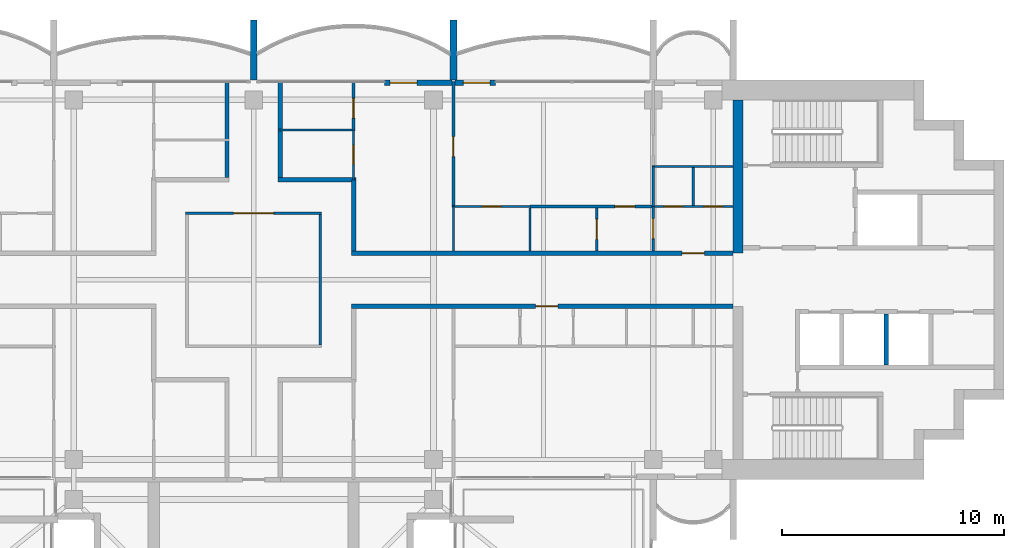
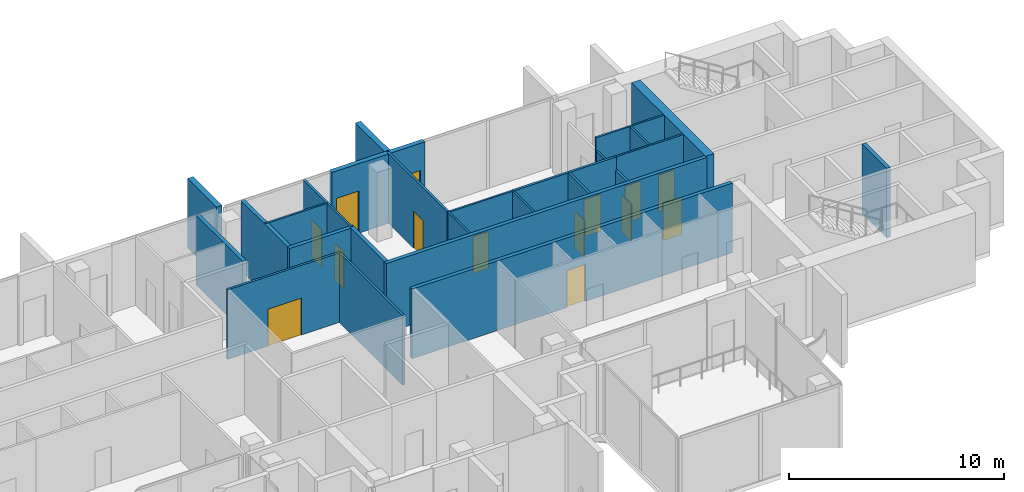
# One storey, part 10 of 16: 28 walls, 14 doors, 14 openings.
"""IFC4 building model written with IfcOpenShell, lengths in metres."""

from ifc_helpers import new_model, si_unit, direction, frame, frame_2d, origin, place, context, subcontext, project, spatial, rectangle, extrude, material, layer, layer_set, type_object, element, fill, save


model = new_model("IFC4")

# Units and contexts
model_context = context("Model", 3, precision=1e-05, world=origin(), true_north=direction((0.0, 1.0)))
body_context = subcontext(model_context, "Body", "Model", "MODEL_VIEW")
ifc_project = project(units=[si_unit("LENGTHUNIT", "METRE"), si_unit("AREAUNIT", "SQUARE_METRE"), si_unit("VOLUMEUNIT", "CUBIC_METRE"), si_unit("PLANEANGLEUNIT", "RADIAN"), si_unit("MASSUNIT", "GRAM", prefix="KILO")], contexts=[model_context])

# Site, building, storey
site_placement = place(None, origin())
site = spatial("IfcSite", under=ifc_project, at=site_placement, CompositionType="ELEMENT")
building_placement = place(site_placement, origin())
building = spatial("IfcBuilding", under=site, at=building_placement, Name="Perihelion Cross Residences", CompositionType="ELEMENT")
storey_placement = place(building_placement, frame((0.0, 0.0, 294.60009765625)))
storey = spatial("IfcBuildingStorey", under=building, at=storey_placement, Name="L75", CompositionType="ELEMENT", Elevation=294.60009765625)

# Wall, opening, door
ifc_material_1 = material(Name="Plasterboard partition")
ifc_layer_1 = layer(ifc_material_1, 0.199951171875)
ifc_layer_set_1 = layer_set([ifc_layer_1], Name="Apartment separation wall 200")
wall_type_1 = type_object("IfcWallType", Name="Apartment separation wall 200", PredefinedType="PARTITIONING", material=ifc_layer_set_1)
wall_1_placement = place(storey_placement, frame((4.39990234375, 1.199951171875, 0.0), z_axis=(0.0, 0.0, 1.0), x_axis=(1.0, 0.0, 0.0)))
wall_1 = element("IfcWall", 1, at=wall_1_placement, inside=storey, type_object=wall_type_1, Name="Partition L75 W005", PredefinedType="PARTITIONING", context=body_context, shape_type="SweptSolid", body=[
    extrude(rectangle(XDim=17.2001953125, YDim=0.199951171875, at=frame_2d((8.60009765625, 0.0))), origin(), (0.0, 0.0, 1.0), 3.949951171875),
])
opening_1_placement = place(wall_1_placement, frame((14.89990234375, 0.0, 0.0)))
opening_1 = element("IfcOpeningElement", 2, at=opening_1_placement, cuts=wall_1, Name="Opening L75.A35", PredefinedType="OPENING", context=body_context, shape_type="SweptSolid", body=[
    extrude(rectangle(XDim=1.0, YDim=2.10009765625, at=frame_2d((0.5, 1.050048828125))), frame((0.0, 0.10986328125, 0.0), z_axis=(0.0, -1.0, 0.0), x_axis=(1.0, 0.0, 0.0)), (0.0, 0.0, 1.0), 0.219970703125),
])
ifc_material_2 = material(Name="Timber door leaf", Category="wood")
door_type_1 = type_object("IfcDoorType", Name="Flat entrance door 1000 x 2100", OperationType="SINGLE_SWING_LEFT", PredefinedType="DOOR", material=ifc_material_2)
door_1_placement = place(opening_1_placement, origin())
door_1 = element("IfcDoor", 3, at=door_1_placement, inside=storey, type_object=door_type_1, Name="Door L75.A35", OperationType="SINGLE_SWING_RIGHT", OverallHeight=2.10009765625, OverallWidth=1.0, PredefinedType="DOOR", context=body_context, shape_type="SweptSolid", body=[
    extrude(rectangle(XDim=1.0, YDim=2.10009765625, at=frame_2d((0.5, 1.050048828125))), frame((0.0, 0.02490234375, 0.0), z_axis=(0.0, -1.0, 0.0), x_axis=(1.0, 0.0, 0.0)), (0.0, 0.0, 1.0), 0.050048828125),
])
fill(opening_1, door_1)

# Walls
wall_2_placement = place(storey_placement, frame((4.5, 4.5, 0.0), z_axis=(0.0, 0.0, 1.0), x_axis=(0.0, -1.0, 0.0)))
element("IfcWall", 4, at=wall_2_placement, inside=storey, type_object=wall_type_1, Name="Partition L75 W006", PredefinedType="PARTITIONING", context=body_context, shape_type="SweptSolid", body=[
    extrude(rectangle(XDim=3.199951171875, YDim=0.199951171875, at=frame_2d((1.60009765625, 0.0))), origin(), (0.0, 0.0, 1.0), 3.949951171875),
])
wall_3_placement = place(storey_placement, frame((1.199951171875, 8.919921875, 0.0), z_axis=(0.0, 0.0, 1.0), x_axis=(0.0, -1.0, 0.0)))
element("IfcWall", 5, at=wall_3_placement, inside=storey, type_object=wall_type_1, Name="Partition L75 W007", PredefinedType="PARTITIONING", context=body_context, shape_type="SweptSolid", body=[
    extrude(rectangle(XDim=4.31982421875, YDim=0.199951171875, at=frame_2d((2.159912109375, 0.0))), origin(), (0.0, 0.0, 1.0), 3.949951171875),
])
wall_4_placement = place(storey_placement, frame((1.10009765625, 4.5, 0.0), z_axis=(0.0, 0.0, 1.0), x_axis=(1.0, 0.0, 0.0)))
element("IfcWall", 6, at=wall_4_placement, inside=storey, type_object=wall_type_1, Name="Partition L75 W008", PredefinedType="PARTITIONING", context=body_context, shape_type="SweptSolid", body=[
    extrude(rectangle(XDim=3.5, YDim=0.199951171875, at=frame_2d((1.75, 0.0))), origin(), (0.0, 0.0, 1.0), 3.949951171875),
])

# Wall, opening, door
wall_5_placement = place(storey_placement, frame((21.60009765625, -1.199951171875, 0.0), z_axis=(0.0, 0.0, 1.0), x_axis=(-1.0, 0.0, 0.0)))
wall_5 = element("IfcWall", 7, at=wall_5_placement, inside=storey, type_object=wall_type_1, Name="Partition L75 W009", PredefinedType="PARTITIONING", context=body_context, shape_type="SweptSolid", body=[
    extrude(rectangle(XDim=17.2001953125, YDim=0.199951171875, at=frame_2d((8.60009765625, 0.0))), origin(), (0.0, 0.0, 1.0), 3.949951171875),
])
opening_2_placement = place(wall_5_placement, frame((7.89990234375, 0.0, 0.0)))
opening_2 = element("IfcOpeningElement", 8, at=opening_2_placement, cuts=wall_5, Name="Opening L75.A36", PredefinedType="OPENING", context=body_context, shape_type="SweptSolid", body=[
    extrude(rectangle(XDim=1.0, YDim=2.10009765625, at=frame_2d((0.5, 1.050048828125))), frame((0.0, 0.10986328125, 0.0), z_axis=(0.0, -1.0, 0.0), x_axis=(1.0, 0.0, 0.0)), (0.0, 0.0, 1.0), 0.219970703125),
])
door_2_placement = place(opening_2_placement, origin())
door_2 = element("IfcDoor", 9, at=door_2_placement, inside=storey, type_object=door_type_1, Name="Door L75.A36", OperationType="SINGLE_SWING_RIGHT", OverallHeight=2.10009765625, OverallWidth=1.0, PredefinedType="DOOR", context=body_context, shape_type="SweptSolid", body=[
    extrude(rectangle(XDim=1.0, YDim=2.10009765625, at=frame_2d((0.5, 1.050048828125))), frame((0.0, 0.02490234375, 0.0), z_axis=(0.0, -1.0, 0.0), x_axis=(1.0, 0.0, 0.0)), (0.0, 0.0, 1.0), 0.050048828125),
])
fill(opening_2, door_2)

# Wall
wall_6_placement = place(storey_placement, frame((-1.199951171875, 4.60009765625, 0.0), z_axis=(0.0, 0.0, 1.0), x_axis=(0.0, 1.0, 0.0)))
element("IfcWall", 10, at=wall_6_placement, inside=storey, type_object=wall_type_1, Name="Partition L75 W016", PredefinedType="PARTITIONING", context=body_context, shape_type="SweptSolid", body=[
    extrude(rectangle(XDim=4.31982421875, YDim=0.199951171875, at=frame_2d((2.159912109375, 0.0))), origin(), (0.0, 0.0, 1.0), 3.949951171875),
])

# Wall, opening, door
ifc_material_3 = material(Name="Concrete C30/37, bronze-clad", Category="concrete")
ifc_layer_2 = layer(ifc_material_3, 0.25)
ifc_layer_set_2 = layer_set([ifc_layer_2], Name="Bronze-clad pier wall 250")
wall_type_2 = type_object("IfcWallType", Name="Bronze-clad pier wall 250", PredefinedType="SOLIDWALL", material=ifc_layer_set_2)
wall_7_placement = place(storey_placement, frame((10.89990234375, 8.875, 0.0), z_axis=(0.0, 0.0, 1.0), x_axis=(-1.0, 0.0, 0.0)))
wall_7 = element("IfcWall", 11, at=wall_7_placement, inside=storey, type_object=wall_type_2, Name="Wall FW1 L75 east side north bay 2 pier", PredefinedType="SOLIDWALL", context=body_context, shape_type="SweptSolid", body=[
    extrude(rectangle(XDim=1.83984375, YDim=0.25, at=frame_2d((0.919921875, 0.0))), origin(), (0.0, 0.0, 1.0), 3.949951171875),
])
opening_3_placement = place(wall_7_placement, frame((0.25, 0.0, 0.0)))
opening_3 = element("IfcOpeningElement", 12, at=opening_3_placement, cuts=wall_7, Name="Opening L75.E02", PredefinedType="OPENING", context=body_context, shape_type="SweptSolid", body=[
    extrude(rectangle(XDim=1.199951171875, YDim=2.39990234375, at=frame_2d((0.60009765625, 1.199951171875))), frame((0.0, 0.135009765625, 0.0), z_axis=(0.0, -1.0, 0.0), x_axis=(1.0, 0.0, 0.0)), (0.0, 0.0, 1.0), 0.27001953125),
])
ifc_material_4 = material(Name="Bronze anodised aluminium, glazed", Category="aluminium")
door_type_2 = type_object("IfcDoorType", Name="Balcony door 1200 x 2400", OperationType="NOTDEFINED", PredefinedType="DOOR", material=ifc_material_4)
door_3_placement = place(opening_3_placement, origin())
door_3 = element("IfcDoor", 13, at=door_3_placement, inside=storey, type_object=door_type_2, Name="Door L75.E02 east side north bay 2", OperationType="SINGLE_SWING_RIGHT", OverallHeight=2.39990234375, OverallWidth=1.199951171875, PredefinedType="DOOR", context=body_context, shape_type="SweptSolid", body=[
    extrude(rectangle(XDim=1.199951171875, YDim=2.39990234375, at=frame_2d((0.60009765625, 1.199951171875))), frame((0.0, 0.02490234375, 0.0), z_axis=(0.0, -1.0, 0.0), x_axis=(1.0, 0.0, 0.0)), (0.0, 0.0, 1.0), 0.050048828125),
])
fill(opening_3, door_3)

wall_8_placement = place(storey_placement, frame((8.93994140625, 8.875, 0.0), z_axis=(0.0, 0.0, 1.0), x_axis=(-1.0, 0.0, 0.0)))
wall_8 = element("IfcWall", 14, at=wall_8_placement, inside=storey, type_object=wall_type_2, Name="Wall FW1 L75 north side east bay 1 pier", PredefinedType="SOLIDWALL", context=body_context, shape_type="SweptSolid", body=[
    extrude(rectangle(XDim=3.0400390625, YDim=0.25, at=frame_2d((1.52001953125, 0.0))), origin(), (0.0, 0.0, 1.0), 3.949951171875),
])
opening_4_placement = place(wall_8_placement, frame((1.590087890625, 0.0, 0.0)))
opening_4 = element("IfcOpeningElement", 15, at=opening_4_placement, cuts=wall_8, Name="Opening L75.E03", PredefinedType="OPENING", context=body_context, shape_type="SweptSolid", body=[
    extrude(rectangle(XDim=1.199951171875, YDim=2.39990234375, at=frame_2d((0.60009765625, 1.199951171875))), frame((0.0, 0.135009765625, 0.0), z_axis=(0.0, -1.0, 0.0), x_axis=(1.0, 0.0, 0.0)), (0.0, 0.0, 1.0), 0.27001953125),
])
door_4_placement = place(opening_4_placement, origin())
door_4 = element("IfcDoor", 16, at=door_4_placement, inside=storey, type_object=door_type_2, Name="Door L75.E03 north side east bay 1", OperationType="SINGLE_SWING_LEFT", OverallHeight=2.39990234375, OverallWidth=1.199951171875, PredefinedType="DOOR", context=body_context, shape_type="SweptSolid", body=[
    extrude(rectangle(XDim=1.199951171875, YDim=2.39990234375, at=frame_2d((0.60009765625, 1.199951171875))), frame((0.0, 0.02490234375, 0.0), z_axis=(0.0, -1.0, 0.0), x_axis=(1.0, 0.0, 0.0)), (0.0, 0.0, 1.0), 0.050048828125),
])
fill(opening_4, door_4)

# Walls
ifc_material_5 = material(Name="Concrete C60/75", Category="concrete")
ifc_layer_3 = layer(ifc_material_5, 0.449951171875)
ifc_layer_set_3 = layer_set([ifc_layer_3], Name="Core wall, inner 450")
wall_type_3 = type_object("IfcWallType", Name="Core wall, inner 450", PredefinedType="SHEAR", material=ifc_layer_set_3)
wall_9_placement = place(storey_placement, frame((21.824951171875, 1.199951171875, 0.0), z_axis=(0.0, 0.0, 1.0), x_axis=(0.0, 1.0, 0.0)))
element("IfcWall", 17, at=wall_9_placement, inside=storey, type_object=wall_type_3, Name="East core core wall, inner", PredefinedType="SHEAR", context=body_context, shape_type="SweptSolid", body=[
    extrude(rectangle(XDim=6.900146484375, YDim=0.449951171875, at=frame_2d((3.4501953125, 0.0))), origin(), (0.0, 0.0, 1.0), 3.949951171875),
])
ifc_material_6 = material(Name="Plasterboard partition")
ifc_layer_4 = layer(ifc_material_6, 0.1201171875)
ifc_layer_set_4 = layer_set([ifc_layer_4], Name="Partition wall 120")
wall_type_4 = type_object("IfcWallType", Name="Partition wall 120", PredefinedType="PARTITIONING", material=ifc_layer_set_4)
wall_10_placement = place(storey_placement, frame((3.0, -2.93994140625, 0.0), z_axis=(0.0, 0.0, 1.0), x_axis=(0.0, 1.0, 0.0)))
element("IfcWall", 18, at=wall_10_placement, inside=storey, type_object=wall_type_4, Name="Partition L75 W002", PredefinedType="PARTITIONING", context=body_context, shape_type="SweptSolid", body=[
    extrude(rectangle(XDim=5.8798828125, YDim=0.1201171875, at=frame_2d((2.93994140625, 0.0))), origin(), (0.0, 0.0, 1.0), 3.949951171875),
])

# Wall, opening, door
wall_11_placement = place(storey_placement, frame((3.06005859375, 3.0, 0.0), z_axis=(0.0, 0.0, 1.0), x_axis=(-1.0, 0.0, 0.0)))
wall_11 = element("IfcWall", 19, at=wall_11_placement, inside=storey, type_object=wall_type_4, Name="Partition L75 W003", PredefinedType="PARTITIONING", context=body_context, shape_type="SweptSolid", body=[
    extrude(rectangle(XDim=6.1201171875, YDim=0.1201171875, at=frame_2d((3.06005859375, 0.0))), origin(), (0.0, 0.0, 1.0), 3.949951171875),
])
opening_5_placement = place(wall_11_placement, frame((2.159912109375, 0.0, 0.0)))
opening_5 = element("IfcOpeningElement", 20, at=opening_5_placement, cuts=wall_11, Name="Opening L75.A01", PredefinedType="OPENING", context=body_context, shape_type="SweptSolid", body=[
    extrude(rectangle(XDim=1.800048828125, YDim=2.10009765625, at=frame_2d((0.89990234375, 1.050048828125))), frame((0.0, 0.070068359375, 0.0), z_axis=(0.0, -1.0, 0.0), x_axis=(1.0, 0.0, 0.0)), (0.0, 0.0, 1.0), 0.14013671875),
])
ifc_material_7 = material(Name="Glazed timber door leaf", Category="wood")
door_type_3 = type_object("IfcDoorType", Name="Interior double leaf door 1800 x 2100", OperationType="DOUBLE_DOOR_SINGLE_SWING", PredefinedType="DOOR", material=ifc_material_7)
door_5_placement = place(opening_5_placement, origin())
door_5 = element("IfcDoor", 21, at=door_5_placement, inside=storey, type_object=door_type_3, Name="Door L75.A01", OperationType="SINGLE_SWING_LEFT", OverallHeight=2.10009765625, OverallWidth=1.800048828125, PredefinedType="DOOR", context=body_context, shape_type="SweptSolid", body=[
    extrude(rectangle(XDim=1.800048828125, YDim=2.10009765625, at=frame_2d((0.89990234375, 1.050048828125))), frame((0.0, 0.02490234375, 0.0), z_axis=(0.0, -1.0, 0.0), x_axis=(1.0, 0.0, 0.0)), (0.0, 0.0, 1.0), 0.050048828125),
])
fill(opening_5, door_5)

wall_12_placement = place(storey_placement, frame((15.449951171875, 3.239990234375, 0.0), z_axis=(0.0, 0.0, 1.0), x_axis=(0.0, -1.0, 0.0)))
wall_12 = element("IfcWall", 22, at=wall_12_placement, inside=storey, type_object=wall_type_4, Name="Partition L75 W025", PredefinedType="PARTITIONING", context=body_context, shape_type="SweptSolid", body=[
    extrude(rectangle(XDim=1.93994140625, YDim=0.1201171875, at=frame_2d((0.969970703125, 0.0))), origin(), (0.0, 0.0, 1.0), 3.949951171875),
])
opening_6_placement = place(wall_12_placement, frame((0.52001953125, 0.0, 0.0)))
opening_6 = element("IfcOpeningElement", 23, at=opening_6_placement, cuts=wall_12, Name="Opening L75.A08", PredefinedType="OPENING", context=body_context, shape_type="SweptSolid", body=[
    extrude(rectangle(XDim=0.89990234375, YDim=2.10009765625, at=frame_2d((0.449951171875, 1.050048828125))), frame((0.0, 0.070068359375, 0.0), z_axis=(0.0, -1.0, 0.0), x_axis=(1.0, 0.0, 0.0)), (0.0, 0.0, 1.0), 0.14013671875),
])
ifc_material_8 = material(Name="Timber door leaf", Category="wood")
door_type_4 = type_object("IfcDoorType", Name="Interior room door 900 x 2100", OperationType="SINGLE_SWING_LEFT", PredefinedType="DOOR", material=ifc_material_8)
door_6_placement = place(opening_6_placement, origin())
door_6 = element("IfcDoor", 24, at=door_6_placement, inside=storey, type_object=door_type_4, Name="Door L75.A08", OperationType="SINGLE_SWING_LEFT", OverallHeight=2.10009765625, OverallWidth=0.89990234375, PredefinedType="DOOR", context=body_context, shape_type="SweptSolid", body=[
    extrude(rectangle(XDim=0.89990234375, YDim=2.10009765625, at=frame_2d((0.449951171875, 1.050048828125))), frame((0.0, 0.02490234375, 0.0), z_axis=(0.0, -1.0, 0.0), x_axis=(1.0, 0.0, 0.0)), (0.0, 0.0, 1.0), 0.050048828125),
])
fill(opening_6, door_6)

wall_13_placement = place(storey_placement, frame((12.449951171875, 3.300048828125, 0.0), z_axis=(0.0, 0.0, 1.0), x_axis=(1.0, 0.0, 0.0)))
wall_13 = element("IfcWall", 25, at=wall_13_placement, inside=storey, type_object=wall_type_4, Name="Partition L75 W026", PredefinedType="PARTITIONING", context=body_context, shape_type="SweptSolid", body=[
    extrude(rectangle(XDim=5.550048828125, YDim=0.1201171875, at=frame_2d((2.77490234375, 0.0))), origin(), (0.0, 0.0, 1.0), 3.949951171875),
])
opening_7_placement = place(wall_13_placement, frame((3.824951171875, 0.0, 0.0)))
opening_7 = element("IfcOpeningElement", 26, at=opening_7_placement, cuts=wall_13, Name="Opening L75.A10", PredefinedType="OPENING", context=body_context, shape_type="SweptSolid", body=[
    extrude(rectangle(XDim=0.89990234375, YDim=2.10009765625, at=frame_2d((0.449951171875, 1.050048828125))), frame((0.0, 0.070068359375, 0.0), z_axis=(0.0, -1.0, 0.0), x_axis=(1.0, 0.0, 0.0)), (0.0, 0.0, 1.0), 0.14013671875),
])
door_7_placement = place(opening_7_placement, origin())
door_7 = element("IfcDoor", 27, at=door_7_placement, inside=storey, type_object=door_type_4, Name="Door L75.A10", OperationType="SINGLE_SWING_LEFT", OverallHeight=2.10009765625, OverallWidth=0.89990234375, PredefinedType="DOOR", context=body_context, shape_type="SweptSolid", body=[
    extrude(rectangle(XDim=0.89990234375, YDim=2.10009765625, at=frame_2d((0.449951171875, 1.050048828125))), frame((0.0, 0.02490234375, 0.0), z_axis=(0.0, -1.0, 0.0), x_axis=(1.0, 0.0, 0.0)), (0.0, 0.0, 1.0), 0.050048828125),
])
fill(opening_7, door_7)

wall_14_placement = place(storey_placement, frame((18.0, 3.300048828125, 0.0), z_axis=(0.0, 0.0, 1.0), x_axis=(0.0, -1.0, 0.0)))
wall_14 = element("IfcWall", 28, at=wall_14_placement, inside=storey, type_object=wall_type_4, Name="Partition L75 W027", PredefinedType="PARTITIONING", context=body_context, shape_type="SweptSolid", body=[
    extrude(rectangle(XDim=2.0, YDim=0.1201171875, at=frame_2d((1.0, 0.0))), origin(), (0.0, 0.0, 1.0), 3.19580078125),
])
opening_8_placement = place(wall_14_placement, frame((0.550048828125, 0.0, 0.0)))
opening_8 = element("IfcOpeningElement", 29, at=opening_8_placement, cuts=wall_14, Name="Opening L75.A11", PredefinedType="OPENING", context=body_context, shape_type="SweptSolid", body=[
    extrude(rectangle(XDim=0.89990234375, YDim=2.10009765625, at=frame_2d((0.449951171875, 1.050048828125))), frame((0.0, 0.070068359375, 0.0), z_axis=(0.0, -1.0, 0.0), x_axis=(1.0, 0.0, 0.0)), (0.0, 0.0, 1.0), 0.14013671875),
])
door_8_placement = place(opening_8_placement, origin())
door_8 = element("IfcDoor", 30, at=door_8_placement, inside=storey, type_object=door_type_4, Name="Door L75.A11", OperationType="SINGLE_SWING_LEFT", OverallHeight=2.10009765625, OverallWidth=0.89990234375, PredefinedType="DOOR", context=body_context, shape_type="SweptSolid", body=[
    extrude(rectangle(XDim=0.89990234375, YDim=2.10009765625, at=frame_2d((0.449951171875, 1.050048828125))), frame((0.0, 0.02490234375, 0.0), z_axis=(0.0, -1.0, 0.0), x_axis=(1.0, 0.0, 0.0)), (0.0, 0.0, 1.0), 0.050048828125),
])
fill(opening_8, door_8)

wall_15_placement = place(storey_placement, frame((9.0, 3.300048828125, 0.0), z_axis=(0.0, 0.0, 1.0), x_axis=(0.0, 1.0, 0.0)))
wall_15 = element("IfcWall", 31, at=wall_15_placement, inside=storey, type_object=wall_type_4, Name="Partition L75 W031", PredefinedType="PARTITIONING", context=body_context, shape_type="SweptSolid", body=[
    extrude(rectangle(XDim=5.619873046875, YDim=0.1201171875, at=frame_2d((2.81005859375, 0.0))), origin(), (0.0, 0.0, 1.0), 3.949951171875),
])
opening_9_placement = place(wall_15_placement, frame((2.25, 0.0, 0.0)))
opening_9 = element("IfcOpeningElement", 32, at=opening_9_placement, cuts=wall_15, Name="Opening L75.A07", PredefinedType="OPENING", context=body_context, shape_type="SweptSolid", body=[
    extrude(rectangle(XDim=0.89990234375, YDim=2.10009765625, at=frame_2d((0.449951171875, 1.050048828125))), frame((0.0, 0.070068359375, 0.0), z_axis=(0.0, -1.0, 0.0), x_axis=(1.0, 0.0, 0.0)), (0.0, 0.0, 1.0), 0.14013671875),
])
door_9_placement = place(opening_9_placement, origin())
door_9 = element("IfcDoor", 33, at=door_9_placement, inside=storey, type_object=door_type_4, Name="Door L75.A07", OperationType="SINGLE_SWING_LEFT", OverallHeight=2.10009765625, OverallWidth=0.89990234375, PredefinedType="DOOR", context=body_context, shape_type="SweptSolid", body=[
    extrude(rectangle(XDim=0.89990234375, YDim=2.10009765625, at=frame_2d((0.449951171875, 1.050048828125))), frame((0.0, 0.02490234375, 0.0), z_axis=(0.0, -1.0, 0.0), x_axis=(1.0, 0.0, 0.0)), (0.0, 0.0, 1.0), 0.050048828125),
])
fill(opening_9, door_9)

wall_16_placement = place(storey_placement, frame((4.5, 6.75, 0.0), z_axis=(0.0, 0.0, 1.0), x_axis=(0.0, 1.0, 0.0)))
wall_16 = element("IfcWall", 34, at=wall_16_placement, inside=storey, type_object=wall_type_4, Name="Partition L75 W035", PredefinedType="PARTITIONING", context=body_context, shape_type="SweptSolid", body=[
    extrude(rectangle(XDim=2.169921875, YDim=0.1201171875, at=frame_2d((1.0849609375, 0.0))), origin(), (0.0, 0.0, 1.0), 3.949951171875),
])
opening_10_placement = place(wall_16_placement, frame((0.52490234375, 0.0, 0.0)))
opening_10 = element("IfcOpeningElement", 35, at=opening_10_placement, cuts=wall_16, Name="Opening L75.A09", PredefinedType="OPENING", context=body_context, shape_type="SweptSolid", body=[
    extrude(rectangle(XDim=0.89990234375, YDim=2.10009765625, at=frame_2d((0.449951171875, 1.050048828125))), frame((0.0, 0.070068359375, 0.0), z_axis=(0.0, -1.0, 0.0), x_axis=(1.0, 0.0, 0.0)), (0.0, 0.0, 1.0), 0.14013671875),
])
door_10_placement = place(opening_10_placement, origin())
door_10 = element("IfcDoor", 36, at=door_10_placement, inside=storey, type_object=door_type_4, Name="Door L75.A09", OperationType="SINGLE_SWING_LEFT", OverallHeight=2.10009765625, OverallWidth=0.89990234375, PredefinedType="DOOR", context=body_context, shape_type="SweptSolid", body=[
    extrude(rectangle(XDim=0.89990234375, YDim=2.10009765625, at=frame_2d((0.449951171875, 1.050048828125))), frame((0.0, 0.02490234375, 0.0), z_axis=(0.0, -1.0, 0.0), x_axis=(1.0, 0.0, 0.0)), (0.0, 0.0, 1.0), 0.050048828125),
])
fill(opening_10, door_10)

# Walls
ifc_material_9 = material(Name="Precast concrete C50/60", Category="concrete")
ifc_layer_5 = layer(ifc_material_9, 0.300048828125)
ifc_layer_set_5 = layer_set([ifc_layer_5], Name="Precast concrete C50/60 blade wall 300")
wall_type_5 = type_object("IfcWallType", Name="Precast concrete C50/60 blade wall 300", PredefinedType="SOLIDWALL", material=ifc_layer_set_5)
for number, where, z_axis, x_axis, name in (
    (37, (0.0, 9.0, 0.0), (0.0, 0.0, 1.0), (0.0, 1.0, 0.0), "Wall BL1 L75 no. 9"),
    (38, (9.0, 9.0, 0.0), (0.0, 0.0, 1.0), (0.0, 1.0, 0.0), "Wall BL1 L75 no. 16"),
):
    element("IfcWall", number, at=place(storey_placement, frame(where, z_axis=z_axis, x_axis=x_axis)), inside=storey, type_object=wall_type_5, Name=name, PredefinedType="SOLIDWALL", context=body_context, shape_type="SweptSolid", body=[
        extrude(rectangle(XDim=2.699951171875, YDim=0.300048828125, at=frame_2d((1.35009765625, 0.0))), origin(), (0.0, 0.0, 1.0), 3.949951171875),
    ])
ifc_material_10 = material(Name="Concrete C50/60", Category="concrete")
ifc_layer_6 = layer(ifc_material_10, 0.199951171875)
ifc_layer_set_6 = layer_set([ifc_layer_6], Name="Shaft wall 200")
wall_type_6 = type_object("IfcWallType", Name="Shaft wall 200", PredefinedType="SOLIDWALL", material=ifc_layer_set_6)
wall_17_placement = place(storey_placement, frame((28.5, -3.85009765625, 0.0), z_axis=(0.0, 0.0, 1.0), x_axis=(0.0, 1.0, 0.0)))
element("IfcWall", 39, at=wall_17_placement, inside=storey, type_object=wall_type_6, Name="East core shaft wall", PredefinedType="SOLIDWALL", context=body_context, shape_type="SweptSolid", body=[
    extrude(rectangle(XDim=2.300048828125, YDim=0.199951171875, at=frame_2d((1.14990234375, 0.0))), origin(), (0.0, 0.0, 1.0), 3.949951171875),
])
ifc_material_11 = material(Name="Plasterboard partition")
ifc_layer_7 = layer(ifc_material_11, 0.10009765625)
ifc_layer_set_7 = layer_set([ifc_layer_7], Name="Wet room wall 100")
wall_type_7 = type_object("IfcWallType", Name="Wet room wall 100", PredefinedType="PARTITIONING", material=ifc_layer_set_7)
wall_18_placement = place(storey_placement, frame((12.449951171875, 3.239990234375, 0.0), z_axis=(0.0, 0.0, 1.0), x_axis=(0.0, -1.0, 0.0)))
element("IfcWall", 40, at=wall_18_placement, inside=storey, type_object=wall_type_7, Name="Partition L75 W022", PredefinedType="PARTITIONING", context=body_context, shape_type="SweptSolid", body=[
    extrude(rectangle(XDim=1.93994140625, YDim=0.10009765625, at=frame_2d((0.969970703125, 0.0))), origin(), (0.0, 0.0, 1.0), 3.949951171875),
])

# Wall, opening, door
wall_19_placement = place(storey_placement, frame((8.93994140625, 3.300048828125, 0.0), z_axis=(0.0, 0.0, 1.0), x_axis=(1.0, 0.0, 0.0)))
wall_19 = element("IfcWall", 41, at=wall_19_placement, inside=storey, type_object=wall_type_7, Name="Partition L75 W023", PredefinedType="PARTITIONING", context=body_context, shape_type="SweptSolid", body=[
    extrude(rectangle(XDim=3.510009765625, YDim=0.10009765625, at=frame_2d((1.7548828125, 0.0))), origin(), (0.0, 0.0, 1.0), 3.949951171875),
])
opening_11_placement = place(wall_19_placement, frame((1.360107421875, 0.0, 0.0)))
opening_11 = element("IfcOpeningElement", 42, at=opening_11_placement, cuts=wall_19, Name="Opening L75.A06", PredefinedType="OPENING", context=body_context, shape_type="SweptSolid", body=[
    extrude(rectangle(XDim=0.85009765625, YDim=2.10009765625, at=frame_2d((0.425048828125, 1.050048828125))), frame((0.0, 0.06005859375, 0.0), z_axis=(0.0, -1.0, 0.0), x_axis=(1.0, 0.0, 0.0)), (0.0, 0.0, 1.0), 0.1201171875),
])
ifc_material_12 = material(Name="Timber door leaf", Category="wood")
door_type_5 = type_object("IfcDoorType", Name="Interior bathroom door 850 x 2100", OperationType="SINGLE_SWING_LEFT", PredefinedType="DOOR", material=ifc_material_12)
door_11_placement = place(opening_11_placement, origin())
door_11 = element("IfcDoor", 43, at=door_11_placement, inside=storey, type_object=door_type_5, Name="Door L75.A06", OperationType="SINGLE_SWING_RIGHT", OverallHeight=2.10009765625, OverallWidth=0.85009765625, PredefinedType="DOOR", context=body_context, shape_type="SweptSolid", body=[
    extrude(rectangle(XDim=0.85009765625, YDim=2.10009765625, at=frame_2d((0.425048828125, 1.050048828125))), frame((0.0, 0.02490234375, 0.0), z_axis=(0.0, -1.0, 0.0), x_axis=(1.0, 0.0, 0.0)), (0.0, 0.0, 1.0), 0.050048828125),
])
fill(opening_11, door_11)

# Wall
wall_20_placement = place(storey_placement, frame((9.0, 1.300048828125, 0.0), z_axis=(0.0, 0.0, 1.0), x_axis=(0.0, 1.0, 0.0)))
element("IfcWall", 44, at=wall_20_placement, inside=storey, type_object=wall_type_7, Name="Partition L75 W024", PredefinedType="PARTITIONING", context=body_context, shape_type="SweptSolid", body=[
    extrude(rectangle(XDim=2.0, YDim=0.10009765625, at=frame_2d((1.0, 0.0))), origin(), (0.0, 0.0, 1.0), 3.949951171875),
])

# Wall, openings, doors
wall_21_placement = place(storey_placement, frame((18.0, 3.300048828125, 0.0), z_axis=(0.0, 0.0, 1.0), x_axis=(1.0, 0.0, 0.0)))
wall_21 = element("IfcWall", 45, at=wall_21_placement, inside=storey, type_object=wall_type_7, Name="Partition L75 W028", PredefinedType="PARTITIONING", context=body_context, shape_type="SweptSolid", body=[
    extrude(rectangle(XDim=3.60009765625, YDim=0.10009765625, at=frame_2d((1.800048828125, 0.0))), origin(), (0.0, 0.0, 1.0), 3.949951171875),
])
opening_12_placement = place(wall_21_placement, frame((2.27490234375, 0.0, 0.0)))
opening_12 = element("IfcOpeningElement", 46, at=opening_12_placement, cuts=wall_21, Name="Opening L75.A03", PredefinedType="OPENING", context=body_context, shape_type="SweptSolid", body=[
    extrude(rectangle(XDim=0.85009765625, YDim=2.10009765625, at=frame_2d((0.425048828125, 1.050048828125))), frame((0.0, 0.06005859375, 0.0), z_axis=(0.0, -1.0, 0.0), x_axis=(1.0, 0.0, 0.0)), (0.0, 0.0, 1.0), 0.1201171875),
])
opening_13_placement = place(wall_21_placement, frame((0.47509765625, 0.0, 0.0)))
opening_13 = element("IfcOpeningElement", 47, at=opening_13_placement, cuts=wall_21, Name="Opening L75.A04", PredefinedType="OPENING", context=body_context, shape_type="SweptSolid", body=[
    extrude(rectangle(XDim=0.85009765625, YDim=2.10009765625, at=frame_2d((0.425048828125, 1.050048828125))), frame((0.0, 0.06005859375, 0.0), z_axis=(0.0, -1.0, 0.0), x_axis=(1.0, 0.0, 0.0)), (0.0, 0.0, 1.0), 0.1201171875),
])
door_12_placement = place(opening_12_placement, origin())
door_12 = element("IfcDoor", 48, at=door_12_placement, inside=storey, type_object=door_type_5, Name="Door L75.A03", OperationType="SINGLE_SWING_LEFT", OverallHeight=2.10009765625, OverallWidth=0.85009765625, PredefinedType="DOOR", context=body_context, shape_type="SweptSolid", body=[
    extrude(rectangle(XDim=0.85009765625, YDim=2.10009765625, at=frame_2d((0.425048828125, 1.050048828125))), frame((0.0, 0.02490234375, 0.0), z_axis=(0.0, -1.0, 0.0), x_axis=(1.0, 0.0, 0.0)), (0.0, 0.0, 1.0), 0.050048828125),
])
fill(opening_12, door_12)
door_13_placement = place(opening_13_placement, origin())
door_13 = element("IfcDoor", 49, at=door_13_placement, inside=storey, type_object=door_type_5, Name="Door L75.A04", OperationType="SINGLE_SWING_RIGHT", OverallHeight=2.10009765625, OverallWidth=0.85009765625, PredefinedType="DOOR", context=body_context, shape_type="SweptSolid", body=[
    extrude(rectangle(XDim=0.85009765625, YDim=2.10009765625, at=frame_2d((0.425048828125, 1.050048828125))), frame((0.0, 0.02490234375, 0.0), z_axis=(0.0, -1.0, 0.0), x_axis=(1.0, 0.0, 0.0)), (0.0, 0.0, 1.0), 0.050048828125),
])
fill(opening_13, door_13)

# Walls
wall_22_placement = place(storey_placement, frame((18.0, 5.10009765625, 0.0), z_axis=(0.0, 0.0, 1.0), x_axis=(0.0, -1.0, 0.0)))
element("IfcWall", 50, at=wall_22_placement, inside=storey, type_object=wall_type_7, Name="Partition L75 W029", PredefinedType="PARTITIONING", context=body_context, shape_type="SweptSolid", body=[
    extrude(rectangle(XDim=1.800048828125, YDim=0.10009765625, at=frame_2d((0.89990234375, 0.0))), origin(), (0.0, 0.0, 1.0), 3.19580078125),
])
wall_23_placement = place(storey_placement, frame((19.800048828125, 5.050048828125, 0.0), z_axis=(0.0, 0.0, 1.0), x_axis=(0.0, -1.0, 0.0)))
element("IfcWall", 51, at=wall_23_placement, inside=storey, type_object=wall_type_7, Name="Partition L75 W032", PredefinedType="PARTITIONING", context=body_context, shape_type="SweptSolid", body=[
    extrude(rectangle(XDim=1.699951171875, YDim=0.10009765625, at=frame_2d((0.85009765625, 0.0))), origin(), (0.0, 0.0, 1.0), 3.949951171875),
])
wall_24_placement = place(storey_placement, frame((17.93994140625, 5.10009765625, 0.0), z_axis=(0.0, 0.0, 1.0), x_axis=(1.0, 0.0, 0.0)))
element("IfcWall", 52, at=wall_24_placement, inside=storey, type_object=wall_type_7, Name="Partition L75 W033", PredefinedType="PARTITIONING", context=body_context, shape_type="SweptSolid", body=[
    extrude(rectangle(XDim=3.66015625, YDim=0.10009765625, at=frame_2d((1.830078125, 0.0))), origin(), (0.0, 0.0, 1.0), 3.949951171875),
])

# Wall, opening, door
wall_25_placement = place(storey_placement, frame((4.5, 4.5, 0.0), z_axis=(0.0, 0.0, 1.0), x_axis=(0.0, 1.0, 0.0)))
wall_25 = element("IfcWall", 53, at=wall_25_placement, inside=storey, type_object=wall_type_7, Name="Partition L75 W034", PredefinedType="PARTITIONING", context=body_context, shape_type="SweptSolid", body=[
    extrude(rectangle(XDim=2.25, YDim=0.10009765625, at=frame_2d((1.125, 0.0))), origin(), (0.0, 0.0, 1.0), 3.949951171875),
])
opening_14_placement = place(wall_25_placement, frame((0.699951171875, 0.0, 0.0)))
opening_14 = element("IfcOpeningElement", 54, at=opening_14_placement, cuts=wall_25, Name="Opening L75.A05", PredefinedType="OPENING", context=body_context, shape_type="SweptSolid", body=[
    extrude(rectangle(XDim=0.85009765625, YDim=2.10009765625, at=frame_2d((0.425048828125, 1.050048828125))), frame((0.0, 0.06005859375, 0.0), z_axis=(0.0, -1.0, 0.0), x_axis=(1.0, 0.0, 0.0)), (0.0, 0.0, 1.0), 0.1201171875),
])
door_14_placement = place(opening_14_placement, origin())
door_14 = element("IfcDoor", 55, at=door_14_placement, inside=storey, type_object=door_type_5, Name="Door L75.A05", OperationType="SINGLE_SWING_LEFT", OverallHeight=2.10009765625, OverallWidth=0.85009765625, PredefinedType="DOOR", context=body_context, shape_type="SweptSolid", body=[
    extrude(rectangle(XDim=0.85009765625, YDim=2.10009765625, at=frame_2d((0.425048828125, 1.050048828125))), frame((0.0, 0.02490234375, 0.0), z_axis=(0.0, -1.0, 0.0), x_axis=(1.0, 0.0, 0.0)), (0.0, 0.0, 1.0), 0.050048828125),
])
fill(opening_14, door_14)

# Wall
wall_26_placement = place(storey_placement, frame((1.10009765625, 6.75, 0.0), z_axis=(0.0, 0.0, 1.0), x_axis=(1.0, 0.0, 0.0)))
element("IfcWall", 56, at=wall_26_placement, inside=storey, type_object=wall_type_7, Name="Partition L75 W036", PredefinedType="PARTITIONING", context=body_context, shape_type="SweptSolid", body=[
    extrude(rectangle(XDim=3.4599609375, YDim=0.10009765625, at=frame_2d((1.72998046875, 0.0))), origin(), (0.0, 0.0, 1.0), 3.949951171875),
])

save(model, "model.ifc")
